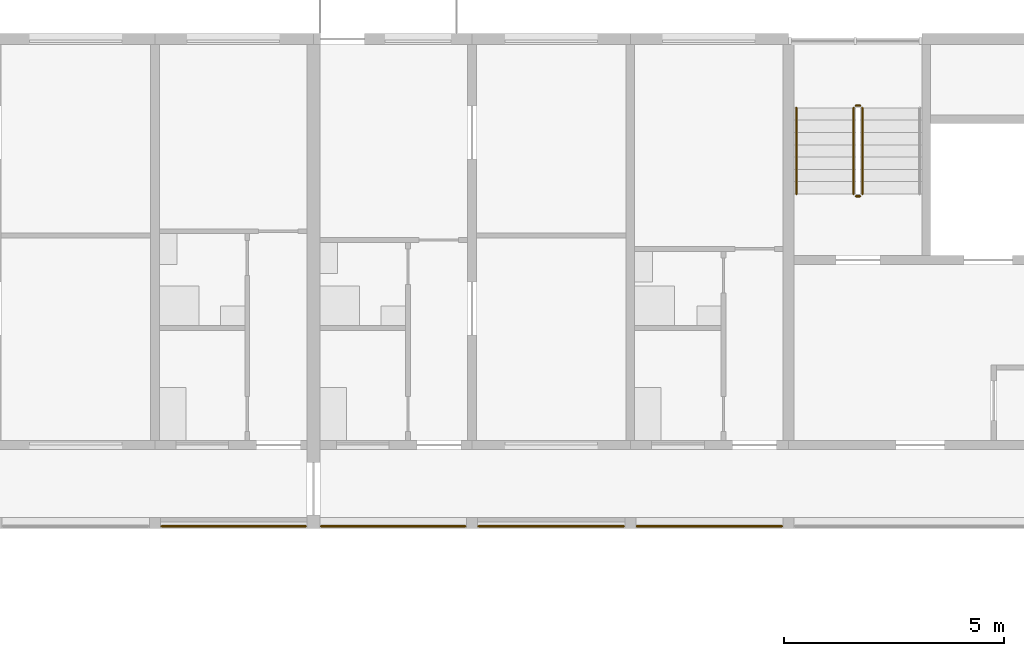
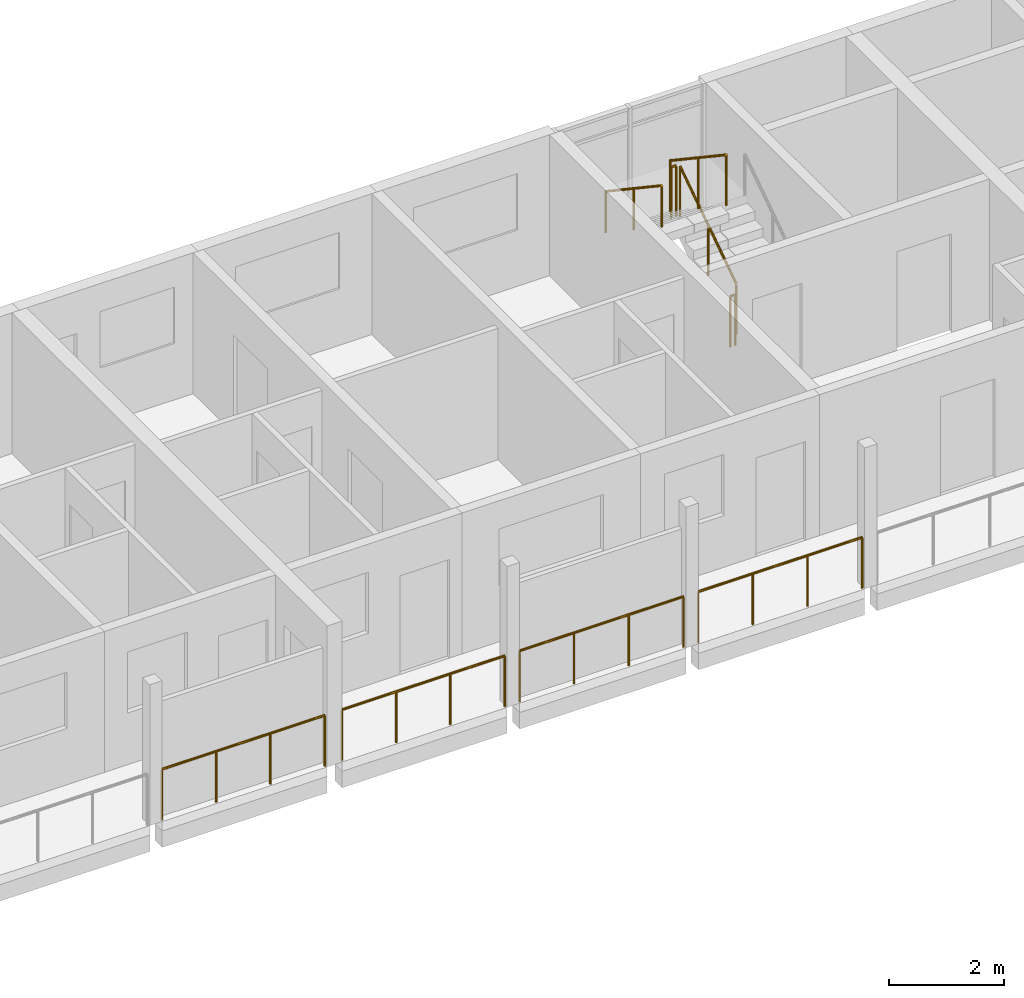
# One storey, part 81 of 98: 9 railings.
"""IFC4 building model written with IfcOpenShell, lengths in metres."""

from ifc_helpers import new_model, si_unit, direction, frame, origin, origin_2d, place, context, subcontext, project, spatial, circle, extrude, material, type_object, element, save


model = new_model("IFC4")

# Units and contexts
model_context = context("Model", 3, precision=1e-05, world=origin(), true_north=direction((0.0, 1.0)))
body_context = subcontext(model_context, "Body", "Model", "MODEL_VIEW")
ifc_project = project(units=[si_unit("LENGTHUNIT", "METRE"), si_unit("AREAUNIT", "SQUARE_METRE"), si_unit("VOLUMEUNIT", "CUBIC_METRE"), si_unit("PLANEANGLEUNIT", "RADIAN"), si_unit("MASSUNIT", "GRAM", prefix="KILO")], contexts=[model_context])

# Site, building, storey
site_placement = place(None, origin())
site = spatial("IfcSite", under=ifc_project, at=site_placement, CompositionType="ELEMENT")
building_placement = place(site_placement, origin())
building = spatial("IfcBuilding", under=site, at=building_placement, Name="Ridgestep Commons", CompositionType="ELEMENT")
storey_placement = place(building_placement, frame((0.0, 0.0, 12.0)))
storey = spatial("IfcBuildingStorey", under=building, at=storey_placement, Name="L04", CompositionType="ELEMENT", Elevation=12.0)

# Railings
ifc_material_1 = material(Name="Structural steel S355JR", Category="steel")
railing_type_1 = type_object("IfcRailingType", Name="Guard 1100", PredefinedType="GUARDRAIL", material=ifc_material_1)
for number, where, name in (
    (1, (58.946044921875, 66.050048828125, 0.0), "Gallery guard B 04.12"),
    (2, (62.571044921875, 66.050048828125, 0.0), "Gallery guard B 04.13"),
):
    element("IfcRailing", number, at=place(storey_placement, frame(where)), inside=storey, type_object=railing_type_1, Name=name, PredefinedType="GUARDRAIL", context=body_context, shape_type="SweptSolid", body=[
        extrude(circle(Radius=0.02392578125, at=origin_2d()), frame((0.0, 0.0, 1.076171875), z_axis=(1.0, 0.0, 0.0), x_axis=(0.0, 1.0, 0.0)), (0.0, 0.0, 1.0), 3.282958984375),
        extrude(circle(Radius=0.02099609375, at=origin_2d()), origin(), (0.0, 0.0, 1.0), 1.052001953125),
        extrude(circle(Radius=0.02099609375, at=origin_2d()), frame((1.09423828125, 0.0, 0.0)), (0.0, 0.0, 1.0), 1.052001953125),
        extrude(circle(Radius=0.02099609375, at=origin_2d()), frame((2.188720703125, 0.0, 0.0)), (0.0, 0.0, 1.0), 1.052001953125),
        extrude(circle(Radius=0.02099609375, at=origin_2d()), frame((3.282958984375, 0.0, 0.0)), (0.0, 0.0, 1.0), 1.052001953125),
    ])
railing_1_placement = place(storey_placement, frame((66.14599609375, 66.050048828125, 0.0)))
element("IfcRailing", 3, at=railing_1_placement, inside=storey, type_object=railing_type_1, Name="Gallery guard B 04.14", PredefinedType="GUARDRAIL", context=body_context, shape_type="SweptSolid", body=[
    extrude(circle(Radius=0.02392578125, at=origin_2d()), frame((0.0, 0.0, 1.076171875), z_axis=(1.0, 0.0, 0.0), x_axis=(0.0, 1.0, 0.0)), (0.0, 0.0, 1.0), 3.30810546875),
    extrude(circle(Radius=0.02099609375, at=origin_2d()), origin(), (0.0, 0.0, 1.0), 1.052001953125),
    extrude(circle(Radius=0.02099609375, at=origin_2d()), frame((1.102783203125, 0.0, 0.0)), (0.0, 0.0, 1.0), 1.052001953125),
    extrude(circle(Radius=0.02099609375, at=origin_2d()), frame((2.205322265625, 0.0, 0.0)), (0.0, 0.0, 1.0), 1.052001953125),
    extrude(circle(Radius=0.02099609375, at=origin_2d()), frame((3.30810546875, 0.0, 0.0)), (0.0, 0.0, 1.0), 1.052001953125),
])
railing_2_placement = place(storey_placement, frame((69.74609375, 66.050048828125, 0.0)))
element("IfcRailing", 4, at=railing_2_placement, inside=storey, type_object=railing_type_1, Name="Gallery guard B 04.15", PredefinedType="GUARDRAIL", context=body_context, shape_type="SweptSolid", body=[
    extrude(circle(Radius=0.02392578125, at=origin_2d()), frame((0.0, 0.0, 1.076171875), z_axis=(1.0, 0.0, 0.0), x_axis=(0.0, 1.0, 0.0)), (0.0, 0.0, 1.0), 3.307861328125),
    extrude(circle(Radius=0.02099609375, at=origin_2d()), origin(), (0.0, 0.0, 1.0), 1.052001953125),
    extrude(circle(Radius=0.02099609375, at=origin_2d()), frame((1.1025390625, 0.0, 0.0)), (0.0, 0.0, 1.0), 1.052001953125),
    extrude(circle(Radius=0.02099609375, at=origin_2d()), frame((2.205322265625, 0.0, 0.0)), (0.0, 0.0, 1.0), 1.052001953125),
    extrude(circle(Radius=0.02099609375, at=origin_2d()), frame((3.307861328125, 0.0, 0.0)), (0.0, 0.0, 1.0), 1.052001953125),
])
ifc_material_2 = material(Name="Structural steel S355JR", Category="steel")
railing_type_2 = type_object("IfcRailingType", Name="Stair guard 1100", PredefinedType="GUARDRAIL", material=ifc_material_2)
railing_3_placement = place(storey_placement, frame((74.875, 73.60009765625, 0.1875)))
element("IfcRailing", 5, at=railing_3_placement, inside=storey, type_object=railing_type_2, Name="L04 B4C stair guard 1", PredefinedType="GUARDRAIL", context=body_context, shape_type="SweptSolid", body=[
    extrude(circle(Radius=0.02392578125, at=origin_2d()), frame((0.0, 0.0, 1.076171875), z_axis=(0.0, 0.830902050051, 0.556418712142), x_axis=(-1.0, 0.0, 0.0)), (0.0, 0.0, 1.0), 2.35888671875),
    extrude(circle(Radius=0.02099609375, at=origin_2d()), origin(), (0.0, 0.0, 1.0), 1.052001953125),
    extrude(circle(Radius=0.02099609375, at=origin_2d()), frame((0.0, 0.97998046875, 0.65625)), (0.0, 0.0, 1.0), 1.052001953125),
    extrude(circle(Radius=0.02099609375, at=origin_2d()), frame((0.0, 1.9599609375, 1.3125)), (0.0, 0.0, 1.0), 1.052001953125),
])
railing_4_placement = place(storey_placement, frame((74.824951171875, 75.610107421875, 1.5)))
element("IfcRailing", 6, at=railing_4_placement, inside=storey, type_object=railing_type_2, Name="L04 B4C stair guard 2", PredefinedType="GUARDRAIL", context=body_context, shape_type="SweptSolid", body=[
    extrude(circle(Radius=0.02392578125, at=origin_2d()), frame((0.0, 0.0, 1.076171875), z_axis=(-1.0, 0.0, 0.0), x_axis=(0.0, -1.0, 0.0)), (0.0, 0.0, 1.0), 0.099853515625),
    extrude(circle(Radius=0.02099609375, at=origin_2d()), origin(), (0.0, 0.0, 1.0), 1.052001953125),
    extrude(circle(Radius=0.02099609375, at=origin_2d()), frame((-0.099853515625, 0.0, 0.0)), (0.0, 0.0, 1.0), 1.052001953125),
])
railing_5_placement = place(storey_placement, frame((74.675048828125, 75.56005859375, 1.6875)))
element("IfcRailing", 7, at=railing_5_placement, inside=storey, type_object=railing_type_2, Name="L04 B4C stair guard 3", PredefinedType="GUARDRAIL", context=body_context, shape_type="SweptSolid", body=[
    extrude(circle(Radius=0.02392578125, at=origin_2d()), frame((0.0, 0.0, 1.076171875), z_axis=(0.0, -0.830902050051, 0.556418712142), x_axis=(1.0, 0.0, 0.0)), (0.0, 0.0, 1.0), 2.35888671875),
    extrude(circle(Radius=0.02099609375, at=origin_2d()), origin(), (0.0, 0.0, 1.0), 1.052001953125),
    extrude(circle(Radius=0.02099609375, at=origin_2d()), frame((0.0, -0.97998046875, 0.65625)), (0.0, 0.0, 1.0), 1.052001953125),
    extrude(circle(Radius=0.02099609375, at=origin_2d()), frame((0.0, -1.9599609375, 1.3125)), (0.0, 0.0, 1.0), 1.052001953125),
])
railing_6_placement = place(storey_placement, frame((74.824951171875, 73.550048828125, 0.0)))
element("IfcRailing", 8, at=railing_6_placement, inside=storey, type_object=railing_type_2, Name="L04 B4C stair guard 4", PredefinedType="GUARDRAIL", context=body_context, shape_type="SweptSolid", body=[
    extrude(circle(Radius=0.02392578125, at=origin_2d()), frame((0.0, 0.0, 1.076171875), z_axis=(-1.0, 0.0, 0.0), x_axis=(0.0, -1.0, 0.0)), (0.0, 0.0, 1.0), 0.099853515625),
    extrude(circle(Radius=0.02099609375, at=origin_2d()), origin(), (0.0, 0.0, 1.0), 1.052001953125),
    extrude(circle(Radius=0.02099609375, at=origin_2d()), frame((-0.099853515625, 0.0, 0.0)), (0.0, 0.0, 1.0), 1.052001953125),
])
ifc_material_3 = material(Name="Structural steel S355JR", Category="steel")
railing_type_3 = type_object("IfcRailingType", Name="Stair handrail 900", PredefinedType="HANDRAIL", material=ifc_material_3)
railing_7_placement = place(storey_placement, frame((73.375, 75.56005859375, 1.6875)))
element("IfcRailing", 9, at=railing_7_placement, inside=storey, type_object=railing_type_3, Name="L04 B4C stair handrail 2", PredefinedType="HANDRAIL", context=body_context, shape_type="SweptSolid", body=[
    extrude(circle(Radius=0.02392578125, at=origin_2d()), frame((0.0, 0.0, 0.8759765625), z_axis=(0.0, -0.830902050051, 0.556418712142), x_axis=(1.0, 0.0, 0.0)), (0.0, 0.0, 1.0), 2.35888671875),
    extrude(circle(Radius=0.02099609375, at=origin_2d()), origin(), (0.0, 0.0, 1.0), 0.851806640625),
    extrude(circle(Radius=0.02099609375, at=origin_2d()), frame((0.0, -0.97998046875, 0.65625)), (0.0, 0.0, 1.0), 0.851806640625),
    extrude(circle(Radius=0.02099609375, at=origin_2d()), frame((0.0, -1.9599609375, 1.3125)), (0.0, 0.0, 1.0), 0.851806640625),
])

save(model, "model.ifc")
